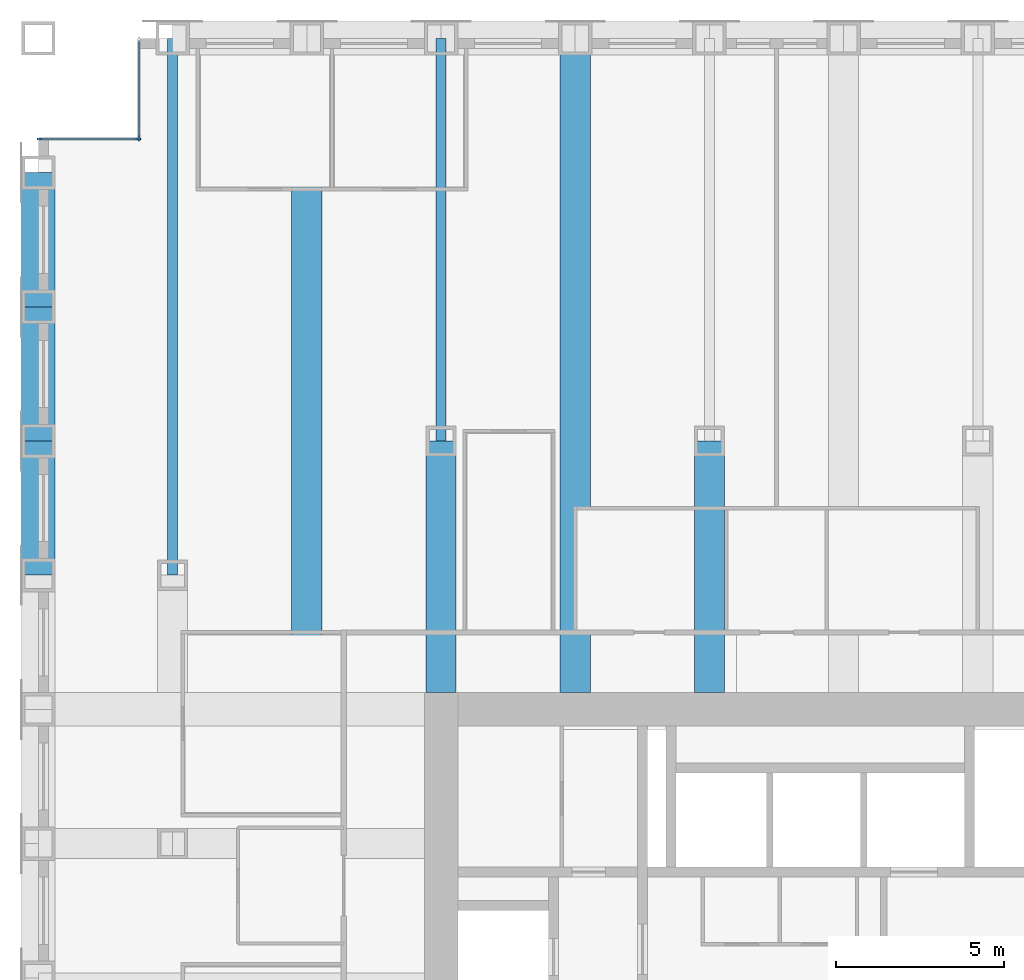
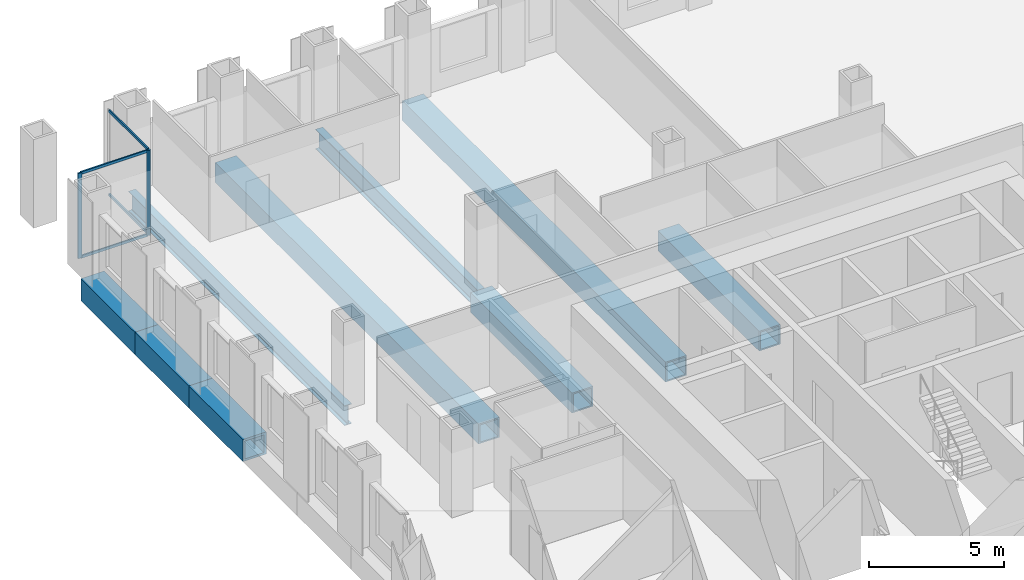
# One storey, part 5 of 14: 9 beams, 7 members, 2 elements without a shape of their own.
"""IFC4 building model written with IfcOpenShell, lengths in metres."""

from ifc_helpers import new_model, si_unit, direction, frame, origin, origin_2d, place, context, subcontext, project, spatial, rectangle, hollow_rectangle, i_section, extrude, material, material_profile, profile_set, type_object, element, aggregate, save


model = new_model("IFC4")

# Units and contexts
model_context = context("Model", 3, precision=1e-05, world=origin(), true_north=direction((0.0, 1.0)))
body_context = subcontext(model_context, "Body", "Model", "MODEL_VIEW")
ifc_project = project(units=[si_unit("LENGTHUNIT", "METRE"), si_unit("AREAUNIT", "SQUARE_METRE"), si_unit("VOLUMEUNIT", "CUBIC_METRE"), si_unit("PLANEANGLEUNIT", "RADIAN"), si_unit("MASSUNIT", "GRAM", prefix="KILO")], contexts=[model_context])

# Site, building, storey
site_placement = place(None, origin())
site = spatial("IfcSite", under=ifc_project, at=site_placement, CompositionType="ELEMENT")
building_placement = place(site_placement, origin())
building = spatial("IfcBuilding", under=site, at=building_placement, Name="Rimbunsela Tower", CompositionType="ELEMENT")
storey_placement = place(building_placement, frame((0.0, 0.0, 183.800048828125)))
storey = spatial("IfcBuildingStorey", under=building, at=storey_placement, Name="L44", CompositionType="ELEMENT", Elevation=183.800048828125)

# Beams
ifc_material_1 = material(Name="Steel BJ 55 (fy 410 MPa)", Category="steel")
ifc_material_profile_1 = material_profile(ifc_material_1, hollow_rectangle(XDim=1.0, YDim=1.0, WallThickness=0.10009765625, at=origin_2d()), Name="BOX 1000x1000x100")
ifc_profile_set_1 = profile_set([ifc_material_profile_1], Name="Steel BJ 55 (fy 410 MPa)")
beam_type_1 = type_object("IfcBeamType", Name="Beam BOX 1000x1000x100", PredefinedType="BEAM", material=ifc_profile_set_1)
for number, where, z_axis, x_axis, name in (
    (1, (6.0, 40.0, -0.650146484375), (0.0, 1.0, 0.0), (-1.0, 0.0, 0.0), "Beam B3 L44"),
    (2, (6.0, 44.0, -0.650146484375), (0.0, 1.0, 0.0), (-1.0, 0.0, 0.0), "Beam B3 L44"),
    (3, (6.0, 48.0, -0.650146484375), (0.0, 1.0, 0.0), (-1.0, 0.0, 0.0), "Beam B3 L44"),
):
    element("IfcBeam", number, at=place(storey_placement, frame(where, z_axis=z_axis, x_axis=x_axis)), inside=storey, type_object=beam_type_1, Name=name, PredefinedType="BEAM", context=body_context, shape_type="SweptSolid", body=[
        extrude(hollow_rectangle(XDim=1.0, YDim=1.0, WallThickness=0.10009765625, at=origin_2d()), origin(), (0.0, 0.0, 1.0), 4.0),
    ])
ifc_material_2 = material(Name="Steel BJ 55 (fy 410 MPa)", Category="steel")
ifc_material_profile_2 = material_profile(ifc_material_2, hollow_rectangle(XDim=0.89990234375, YDim=0.89990234375, WallThickness=0.06005859375, at=origin_2d()), Name="BOX 900x900x60")
ifc_profile_set_2 = profile_set([ifc_material_profile_2], Name="Steel BJ 55 (fy 410 MPa)")
beam_type_2 = type_object("IfcBeamType", Name="Beam BOX 900x900x60", PredefinedType="BEAM", material=ifc_profile_set_2)
beam_1_placement = place(storey_placement, frame((14.0, 36.5, -0.60009765625), z_axis=(0.0, 1.0, 0.0), x_axis=(-1.0, 0.0, 0.0)))
element("IfcBeam", 4, at=beam_1_placement, inside=storey, type_object=beam_type_2, Name="Beam B1 L44", PredefinedType="BEAM", context=body_context, shape_type="SweptSolid", body=[
    extrude(hollow_rectangle(XDim=0.89990234375, YDim=0.89990234375, WallThickness=0.06005859375, at=origin_2d()), origin(), (0.0, 0.0, 1.0), 19.5),
])
beam_2_placement = place(storey_placement, frame((18.0, 36.5, -0.60009765625), z_axis=(0.0, 1.0, 0.0), x_axis=(-1.0, 0.0, 0.0)))
element("IfcBeam", 5, at=beam_2_placement, inside=storey, type_object=beam_type_2, Name="Beam B1 L44", PredefinedType="BEAM", context=body_context, shape_type="SweptSolid", body=[
    extrude(hollow_rectangle(XDim=0.89990234375, YDim=0.89990234375, WallThickness=0.06005859375, at=origin_2d()), origin(), (0.0, 0.0, 1.0), 7.5),
])
beam_3_placement = place(storey_placement, frame((22.0, 36.5, -0.60009765625), z_axis=(0.0, 1.0, 0.0), x_axis=(-1.0, 0.0, 0.0)))
element("IfcBeam", 6, at=beam_3_placement, inside=storey, type_object=beam_type_2, Name="Beam B1 L44", PredefinedType="BEAM", context=body_context, shape_type="SweptSolid", body=[
    extrude(hollow_rectangle(XDim=0.89990234375, YDim=0.89990234375, WallThickness=0.06005859375, at=origin_2d()), origin(), (0.0, 0.0, 1.0), 19.5),
])
beam_4_placement = place(storey_placement, frame((26.0, 36.5, -0.60009765625), z_axis=(0.0, 1.0, 0.0), x_axis=(-1.0, 0.0, 0.0)))
element("IfcBeam", 7, at=beam_4_placement, inside=storey, type_object=beam_type_2, Name="Beam B1 L44", PredefinedType="BEAM", context=body_context, shape_type="SweptSolid", body=[
    extrude(hollow_rectangle(XDim=0.89990234375, YDim=0.89990234375, WallThickness=0.06005859375, at=origin_2d()), origin(), (0.0, 0.0, 1.0), 7.5),
])
ifc_material_3 = material(Name="Steel BJ 55 (fy 410 MPa)", Category="steel")
ifc_material_profile_3 = material_profile(ifc_material_3, i_section(OverallWidth=0.300048828125, OverallDepth=0.89990234375, WebThickness=0.01611328125, FlangeThickness=0.028076171875, FilletRadius=0.028076171875, at=origin_2d()), Name="H 900x300x16x28")
ifc_profile_set_3 = profile_set([ifc_material_profile_3], Name="Steel BJ 55 (fy 410 MPa)")
beam_type_3 = type_object("IfcBeamType", Name="Beam H 900x300x16x28", PredefinedType="BEAM", material=ifc_profile_set_3)
beam_5_placement = place(storey_placement, frame((10.0, 40.0, -0.60009765625), z_axis=(0.0, 1.0, 0.0), x_axis=(-1.0, 0.0, 0.0)))
element("IfcBeam", 8, at=beam_5_placement, inside=storey, type_object=beam_type_3, Name="Beam B2 L44", PredefinedType="BEAM", context=body_context, shape_type="SweptSolid", body=[
    extrude(i_section(OverallWidth=0.300048828125, OverallDepth=0.89990234375, WebThickness=0.01611328125, FlangeThickness=0.028076171875, FilletRadius=0.028076171875, at=origin_2d()), origin(), (0.0, 0.0, 1.0), 16.0),
])
beam_6_placement = place(storey_placement, frame((18.0, 44.0, -0.60009765625), z_axis=(0.0, 1.0, 0.0), x_axis=(-1.0, 0.0, 0.0)))
element("IfcBeam", 9, at=beam_6_placement, inside=storey, type_object=beam_type_3, Name="Beam B2 L44", PredefinedType="BEAM", context=body_context, shape_type="SweptSolid", body=[
    extrude(i_section(OverallWidth=0.300048828125, OverallDepth=0.89990234375, WebThickness=0.01611328125, FlangeThickness=0.028076171875, FilletRadius=0.028076171875, at=origin_2d()), origin(), (0.0, 0.0, 1.0), 12.0),
])

# Curtain wall, member
ifc_material_4 = material(Name="Aluminium curtain wall", Category="aluminium")
curtain_wall_type = type_object("IfcCurtainWallType", Name="Corner glazing", PredefinedType="USERDEFINED", material=ifc_material_4)
curtain_wall_1_placement = place(storey_placement, origin())
curtain_wall_1 = element("IfcCurtainWall", 10, at=curtain_wall_1_placement, inside=storey, type_object=curtain_wall_type, Name="Corner glazing L44", ObjectType="CORNER GLAZING", PredefinedType="USERDEFINED")
ifc_material_5 = material(Name="Aluminium mullion", Category="aluminium")
ifc_material_profile_4 = material_profile(ifc_material_5, rectangle(XDim=0.06005859375, YDim=0.159912109375, at=origin_2d()), Name="Mullion 60x160")
ifc_profile_set_4 = profile_set([ifc_material_profile_4], Name="Aluminium mullion")
member_type_1 = type_object("IfcMemberType", Name="Curtain wall mullion 60x160", PredefinedType="MULLION", material=ifc_profile_set_4)
member_1_placement = place(storey_placement, frame((9.0, 53.030029296875, 0.0), z_axis=(0.0, 0.0, 1.0), x_axis=(1.0, 0.0, 0.0)))
member_1 = element("IfcMember", 11, at=member_1_placement, type_object=member_type_1, Name="CW5 mullion 2", PredefinedType="MULLION", context=body_context, shape_type="SweptSolid", body=[
    extrude(rectangle(XDim=0.06005859375, YDim=0.159912109375, at=origin_2d()), origin(), (0.0, 0.0, 1.0), 3.849853515625),
])

# Curtain wall, members
curtain_wall_2_placement = place(storey_placement, origin())
curtain_wall_2 = element("IfcCurtainWall", 12, at=curtain_wall_2_placement, inside=storey, type_object=curtain_wall_type, Name="Corner glazing L44", ObjectType="CORNER GLAZING", PredefinedType="USERDEFINED")
member_2_placement = place(storey_placement, frame((8.969970703125, 53.0, 0.0), z_axis=(0.0, 0.0, 1.0), x_axis=(0.0, -1.0, 0.0)))
member_2 = element("IfcMember", 13, at=member_2_placement, type_object=member_type_1, Name="CW5 mullion 1", PredefinedType="MULLION", context=body_context, shape_type="SweptSolid", body=[
    extrude(rectangle(XDim=0.06005859375, YDim=0.159912109375, at=origin_2d()), origin(), (0.0, 0.0, 1.0), 3.849853515625),
])
member_3_placement = place(storey_placement, frame((6.030029296875, 53.0, 0.0), z_axis=(0.0, 0.0, 1.0), x_axis=(0.0, -1.0, 0.0)))
member_3 = element("IfcMember", 14, at=member_3_placement, type_object=member_type_1, Name="CW5 mullion 2", PredefinedType="MULLION", context=body_context, shape_type="SweptSolid", body=[
    extrude(rectangle(XDim=0.06005859375, YDim=0.159912109375, at=origin_2d()), origin(), (0.0, 0.0, 1.0), 3.849853515625),
])

# Member
ifc_material_6 = material(Name="Aluminium transom", Category="aluminium")
ifc_material_profile_5 = material_profile(ifc_material_6, rectangle(XDim=0.06005859375, YDim=0.1201171875, at=origin_2d()), Name="Transom 60x120")
ifc_profile_set_5 = profile_set([ifc_material_profile_5], Name="Aluminium transom")
member_type_2 = type_object("IfcMemberType", Name="Curtain wall transom 60x120", PredefinedType="USERDEFINED", material=ifc_profile_set_5)
member_4_placement = place(storey_placement, frame((9.0, 55.93994140625, 0.030029296875), z_axis=(0.0, -1.0, 0.0), x_axis=(1.0, 0.0, 0.0)))
member_4 = element("IfcMember", 15, at=member_4_placement, type_object=member_type_2, Name="CW5 transom 1.1", ObjectType="TRANSOM", PredefinedType="USERDEFINED", context=body_context, shape_type="SweptSolid", body=[
    extrude(rectangle(XDim=0.06005859375, YDim=0.1201171875, at=origin_2d()), origin(), (0.0, 0.0, 1.0), 2.8798828125),
])

member_5_placement = place(storey_placement, frame((9.0, 55.93994140625, 3.820068359375), z_axis=(0.0, -1.0, 0.0), x_axis=(1.0, 0.0, 0.0)))
member_5 = element("IfcMember", 16, at=member_5_placement, type_object=member_type_2, Name="CW5 transom 1.2", ObjectType="TRANSOM", PredefinedType="USERDEFINED", context=body_context, shape_type="SweptSolid", body=[
    extrude(rectangle(XDim=0.06005859375, YDim=0.1201171875, at=origin_2d()), origin(), (0.0, 0.0, 1.0), 2.8798828125),
])

aggregate(curtain_wall_1, [member_1, member_4, member_5])

member_6_placement = place(storey_placement, frame((8.93994140625, 53.0, 0.030029296875), z_axis=(-1.0, 0.0, 0.0), x_axis=(0.0, -1.0, 0.0)))
member_6 = element("IfcMember", 17, at=member_6_placement, type_object=member_type_2, Name="CW5 transom 1.1", ObjectType="TRANSOM", PredefinedType="USERDEFINED", context=body_context, shape_type="SweptSolid", body=[
    extrude(rectangle(XDim=0.06005859375, YDim=0.1201171875, at=origin_2d()), origin(), (0.0, 0.0, 1.0), 2.8798828125),
])

member_7_placement = place(storey_placement, frame((8.93994140625, 53.0, 3.820068359375), z_axis=(-1.0, 0.0, 0.0), x_axis=(0.0, -1.0, 0.0)))
member_7 = element("IfcMember", 18, at=member_7_placement, type_object=member_type_2, Name="CW5 transom 1.2", ObjectType="TRANSOM", PredefinedType="USERDEFINED", context=body_context, shape_type="SweptSolid", body=[
    extrude(rectangle(XDim=0.06005859375, YDim=0.1201171875, at=origin_2d()), origin(), (0.0, 0.0, 1.0), 2.8798828125),
])

aggregate(curtain_wall_2, [member_2, member_3, member_6, member_7])

save(model, "model.ifc")
